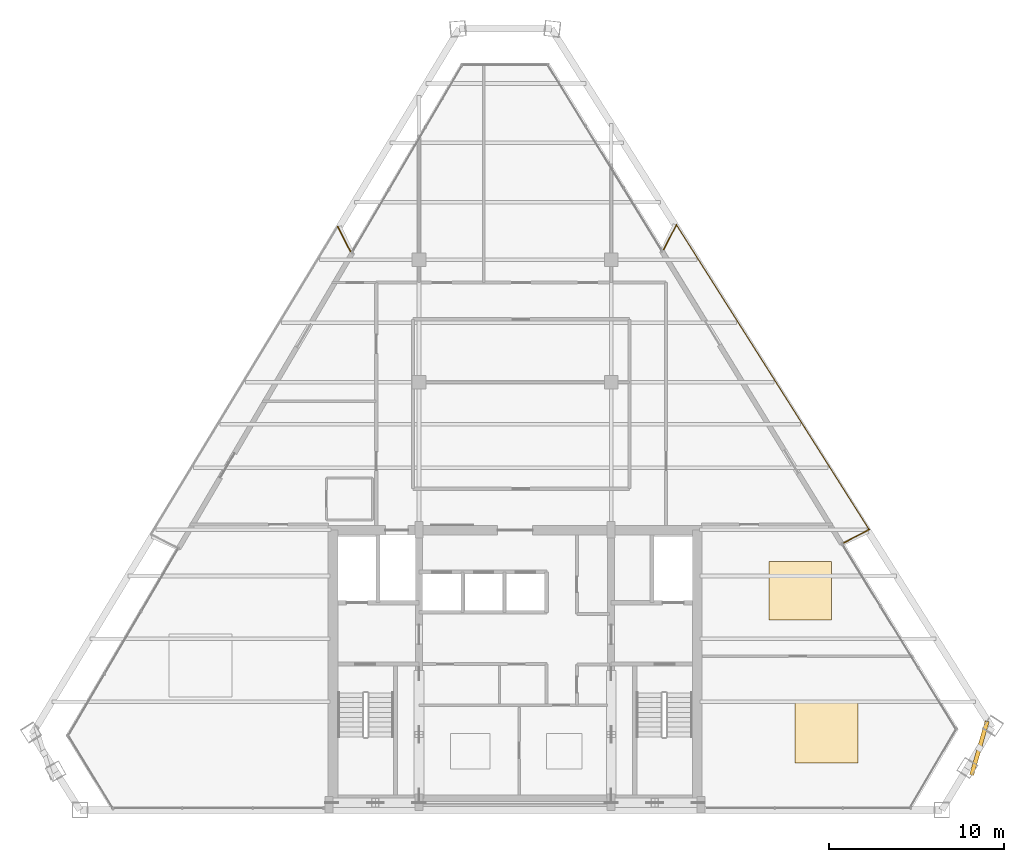
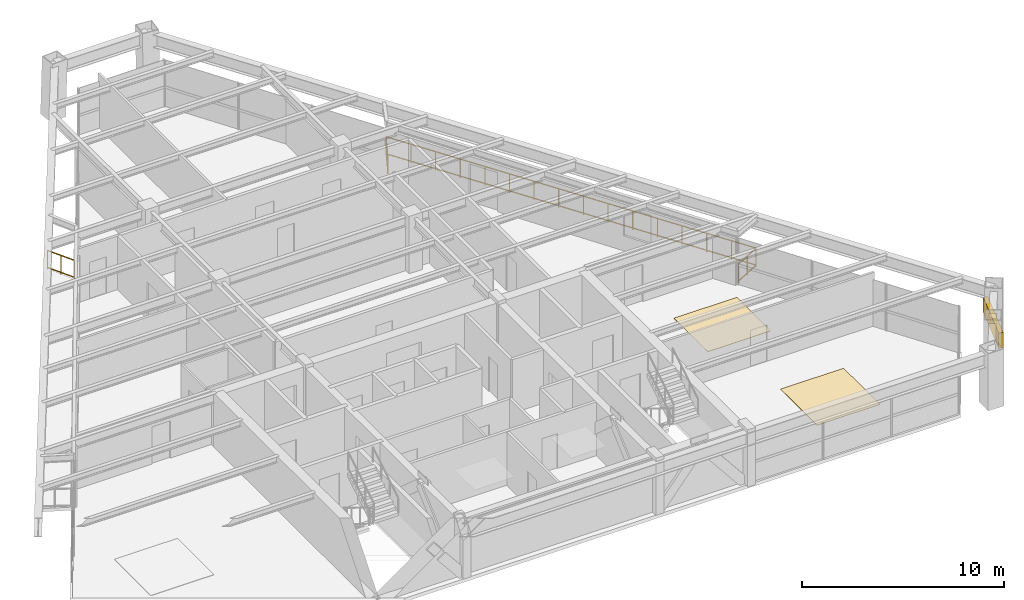
# One storey, part 13 of 13: 4 railings, 2 coverings, 1 shading device.
"""IFC4 building model written with IfcOpenShell, lengths in metres."""

import ifcopenshell
import ifcopenshell.guid

model = None  # the IFC model being written
_history = None  # IfcOwnerHistory: only IFC2X3 demands one
_inside = {}  # id of a spatial element -> (the spatial element, [elements in it])
_under = {}  # id of a project, library or spatial element -> (it, [spatial elements below it])
_declared = {}  # id of a project -> (the project, [libraries it declares])
_typed = {}  # id of a type object -> (the type object, [elements of that type])
_made_of = {}  # id of a material, layer set ... -> (it, [elements and type objects made of it])


def new_model(schema):
    """Start an empty IFC model of exactly this schema.

    Asked for "IFC4X3", IfcOpenShell would pick the latest addendum, in which some entities
    have other attributes; the version numbers below select the first issue.
    IFC2X3 requires an IfcOwnerHistory on every rooted entity: one is made here for all.
    """
    global model, _history
    if schema == "IFC4X3":
        model = ifcopenshell.file(schema_version=(4, 3, 0, 0))
    else:
        model = ifcopenshell.file(schema=schema)
    _inside.clear()
    _under.clear()
    _declared.clear()
    _typed.clear()
    _made_of.clear()
    _history = None
    if model.schema == "IFC2X3":
        org = make("IfcOrganization", Name="unknown")
        user = make(
            "IfcPersonAndOrganization",
            ThePerson=make("IfcPerson", FamilyName="unknown"),
            TheOrganization=org,
        )
        app = make(
            "IfcApplication",
            ApplicationDeveloper=org,
            Version="unknown",
            ApplicationFullName="unknown",
            ApplicationIdentifier="unknown",
        )
        _history = make(
            "IfcOwnerHistory",
            OwningUser=user,
            OwningApplication=app,
            ChangeAction="ADDED",
            CreationDate=0,
        )
    return model


def make(cls, **values):
    """One entity of the class cls with the attributes given. An attribute that is None is left unset."""
    return model.create_entity(
        cls, **{name: value for name, value in values.items() if value is not None}
    )


def rooted(cls, **values):
    """An entity with a GlobalId (a new one), such as an element, a storey or a relation."""
    return make(cls, GlobalId=ifcopenshell.guid.new(), OwnerHistory=_history, **values)


def si_unit(unit_type, name, prefix=None):
    """IfcSIUnit, for example si_unit("LENGTHUNIT", "METRE", prefix="MILLI")."""
    return make("IfcSIUnit", UnitType=unit_type, Prefix=prefix, Name=name)


def assignment(units):
    """IfcUnitAssignment: the units of a project."""
    return None if units is None else make("IfcUnitAssignment", Units=units)


def point(xyz):
    """IfcCartesianPoint."""
    return None if xyz is None else make("IfcCartesianPoint", Coordinates=xyz)


def direction(xyz):
    """IfcDirection."""
    return None if xyz is None else make("IfcDirection", DirectionRatios=xyz)


def frame(location, z_axis=None, x_axis=None):
    """IfcAxis2Placement3D, a coordinate frame: its origin and axes. An axis left out is left unset."""
    return make(
        "IfcAxis2Placement3D",
        Location=point(location),
        Axis=direction(z_axis),
        RefDirection=direction(x_axis),
    )


def frame_2d(location, x_axis=None):
    """IfcAxis2Placement2D, a coordinate frame in the plane: its origin and x axis."""
    return make(
        "IfcAxis2Placement2D", Location=point(location), RefDirection=direction(x_axis)
    )


def origin():
    """The frame at (0, 0, 0) with its axes left unset."""
    return frame((0.0, 0.0, 0.0))


def origin_2d():
    """The frame at (0, 0) in the plane with its x axis left unset."""
    return frame_2d((0.0, 0.0))


def place(relative_to, where):
    """IfcLocalPlacement: puts the frame where relative to a parent placement (None: the world)."""
    return make(
        "IfcLocalPlacement", PlacementRelTo=relative_to, RelativePlacement=where
    )


def context(
    kind, dimensions, precision=None, world=None, true_north=None, identifier=None
):
    """IfcGeometricRepresentationContext, for example the 3D "Model" context."""
    return make(
        "IfcGeometricRepresentationContext",
        ContextIdentifier=identifier,
        ContextType=kind,
        CoordinateSpaceDimension=dimensions,
        Precision=precision,
        WorldCoordinateSystem=world,
        TrueNorth=true_north,
    )


def subcontext(parent, identifier, kind, view, scale=None):
    """IfcGeometricRepresentationSubContext, for example "Body" below "Model"."""
    return make(
        "IfcGeometricRepresentationSubContext",
        ContextIdentifier=identifier,
        ContextType=kind,
        ParentContext=parent,
        TargetScale=scale,
        TargetView=view,
    )


def project(units=None, contexts=None):
    """IfcProject with its units and contexts."""
    return rooted(
        "IfcProject",
        Name="project",
        RepresentationContexts=contexts,
        UnitsInContext=assignment(units),
    )


def spatial(cls, under=None, at=None, **own):
    """A site, building, storey or space (cls), placed at a placement, below another one or the project."""
    s = rooted(cls, ObjectPlacement=at, **own)
    if under is not None:
        _under.setdefault(under.id(), (under, []))[1].append(s)
    return s


def profile(cls, at=None, kind="AREA", **sizes):
    """A parametric profile (cls). Its sizes go by their IFC names, for example OverallWidth=200.0."""
    return make(cls, ProfileType=kind, Position=at, **sizes)


def rectangle(**sizes):
    """IfcRectangleProfileDef."""
    return profile("IfcRectangleProfileDef", **sizes)


def extrude(swept, where, along, depth):
    """IfcExtrudedAreaSolid: the profile swept, set in the frame where, extruded along a direction by depth."""
    return make(
        "IfcExtrudedAreaSolid",
        SweptArea=swept,
        Position=where,
        ExtrudedDirection=direction(along),
        Depth=depth,
    )


def shape(context_of_items, identifier, shape_type, items):
    """IfcShapeRepresentation: the items that make up one representation, for example the "Body"."""
    return make(
        "IfcShapeRepresentation",
        ContextOfItems=context_of_items,
        RepresentationIdentifier=identifier,
        RepresentationType=shape_type,
        Items=items,
    )


def source(mapping_origin, context_of_items, identifier, shape_type, items):
    """IfcRepresentationMap: a shape defined once, which mapped items show again and again."""
    return make(
        "IfcRepresentationMap",
        MappingOrigin=mapping_origin,
        MappedRepresentation=shape(context_of_items, identifier, shape_type, items),
    )


def transform(
    local_origin,
    x_axis=None,
    y_axis=None,
    z_axis=None,
    scale=None,
    scale2=None,
    scale3=None,
    uniform=True,
):
    """IfcCartesianTransformationOperator3D, or its non-uniform kind. x_axis, y_axis, z_axis: its Axis1, 2, 3."""
    if uniform:
        return make(
            "IfcCartesianTransformationOperator3D",
            Axis1=direction(x_axis),
            Axis2=direction(y_axis),
            LocalOrigin=point(local_origin),
            Scale=scale,
            Axis3=direction(z_axis),
        )
    return make(
        "IfcCartesianTransformationOperator3DnonUniform",
        Axis1=direction(x_axis),
        Axis2=direction(y_axis),
        LocalOrigin=point(local_origin),
        Scale=scale,
        Axis3=direction(z_axis),
        Scale2=scale2,
        Scale3=scale3,
    )


def mapped(mapping_source, mapping_target):
    """IfcMappedItem: shows the shape of a source again, moved by a transform."""
    return make(
        "IfcMappedItem", MappingSource=mapping_source, MappingTarget=mapping_target
    )


def material(Name=None, Category=None):
    """IfcMaterial."""
    return make("IfcMaterial", Name=Name, Category=Category)


def layer(
    of_material, thickness, ventilated=None, Name=None, Category=None, Priority=None
):
    """IfcMaterialLayer: one layer of a wall or slab, of a material (None: an air gap)."""
    return make(
        "IfcMaterialLayer",
        Material=of_material,
        LayerThickness=thickness,
        IsVentilated=ventilated,
        Name=Name,
        Category=Category,
        Priority=Priority,
    )


def layer_set(layers, Name=None):
    """IfcMaterialLayerSet."""
    return make("IfcMaterialLayerSet", MaterialLayers=layers, LayerSetName=Name)


def made_of(thing, what):
    """Note that an element or type object is made of a material, layer set ...; save() writes the relation."""
    if what is not None:
        _made_of.setdefault(what.id(), (what, []))[1].append(thing)
    return thing


def type_object(cls, material=None, **own):
    """A type object (cls), such as IfcWallType, which elements share."""
    return made_of(rooted(cls, **own), material)


def type_shapes(of_type, sources):
    """Give a type object the sources (RepresentationMaps) that its elements show as mapped items."""
    of_type.RepresentationMaps = sources


def element(
    cls,
    number,
    at=None,
    inside=None,
    cuts=None,
    type_object=None,
    material=None,
    context=None,
    identifier="Body",
    shape_type=None,
    held_by="IfcProductDefinitionShape",
    body=None,
    shapes=None,
    **own,
):
    """One element of the class cls, such as IfcWall. Its Tag is "e" and its number.

    at: its placement. inside: the storey or other place that contains it. cuts: it is an
    opening in that element (IfcRelVoidsElement). A single representation is given by context,
    identifier, shape_type and body (its items); several are given by shapes. held_by: the class
    of the entity that holds the representations. save() writes the other relations.
    """
    e = rooted(cls, Tag="e%d" % number, ObjectPlacement=at, **own)
    if body is not None:
        shapes = [shape(context, identifier, shape_type, body)]
    if shapes is not None:
        e.Representation = make(held_by, Representations=shapes)
    if inside is not None:
        _inside.setdefault(inside.id(), (inside, []))[1].append(e)
    if cuts is not None:
        rooted(
            "IfcRelVoidsElement", RelatingBuildingElement=cuts, RelatedOpeningElement=e
        )
    if type_object is not None:
        _typed.setdefault(type_object.id(), (type_object, []))[1].append(e)
    return made_of(e, material)


def aggregate(whole, parts):
    """IfcRelAggregates: a whole, such as a stair, and the parts it consists of."""
    return rooted("IfcRelAggregates", RelatingObject=whole, RelatedObjects=parts)


def save(model, path):
    """Write the relations noted so far, then the file.

    IfcRelAggregates (storeys below a building ...), IfcRelContainedInSpatialStructure (elements
    in a storey), IfcRelDefinesByType, IfcRelAssociatesMaterial and IfcRelDeclares: one each for
    every whole, place, type object, material and project.
    """
    for whole, parts in _under.values():
        aggregate(whole, parts)
    for where, things in _inside.values():
        rooted(
            "IfcRelContainedInSpatialStructure",
            RelatedElements=things,
            RelatingStructure=where,
        )
    for kind, things in _typed.values():
        rooted("IfcRelDefinesByType", RelatedObjects=things, RelatingType=kind)
    for what, things in _made_of.values():
        rooted("IfcRelAssociatesMaterial", RelatedObjects=things, RelatingMaterial=what)
    for by, libraries in _declared.values():
        rooted("IfcRelDeclares", RelatingContext=by, RelatedDefinitions=libraries)
    model.write(path)


model = new_model("IFC4")

# Units and contexts
model_context = context("Model", 3, precision=1e-05, world=origin(), true_north=direction((0.0, 1.0)))
body_context = subcontext(model_context, "Body", "Model", "MODEL_VIEW")
ifc_project = project(units=[si_unit("LENGTHUNIT", "METRE"), si_unit("AREAUNIT", "SQUARE_METRE"), si_unit("VOLUMEUNIT", "CUBIC_METRE"), si_unit("PLANEANGLEUNIT", "RADIAN"), si_unit("MASSUNIT", "GRAM", prefix="KILO")], contexts=[model_context])

# Site, building, storey
site_placement = place(None, origin())
site = spatial("IfcSite", under=ifc_project, at=site_placement, CompositionType="ELEMENT")
building_placement = place(site_placement, origin())
building = spatial("IfcBuilding", under=site, at=building_placement, Name="Varnakhor Terracotta Tower", CompositionType="ELEMENT")
storey_placement = place(building_placement, frame((0.0, 0.0, 244.14990234375)))
storey = spatial("IfcBuildingStorey", under=building, at=storey_placement, Name="L63", CompositionType="ELEMENT", Elevation=244.14990234375)

# Railings
ifc_material_1 = material(Name="Stainless Steel & Laminated Glass Guardrail", Category="steel")
railing_type = type_object("IfcRailingType", Name="RLG-LOGGIA-GUARD-1150", PredefinedType="GUARDRAIL", material=ifc_material_1)
railing_1_placement = place(storey_placement, frame((8.513671875, 32.09033203125, 0.0)))
element("IfcRailing", 1, at=railing_1_placement, inside=storey, type_object=railing_type, Name="L63 E Loggia Glass Guard 1", PredefinedType="GUARDRAIL", context=body_context, shape_type="SweptSolid", body=[
    extrude(rectangle(XDim=0.048095703125, YDim=0.048095703125, at=origin_2d()), frame((0.0, 0.0, 1.1259765625), z_axis=(0.455846224366, 0.890058548485, 0.0), x_axis=(-0.890058548485, 0.455846224366, 0.0)), (0.0, 0.0, 1.0), 1.59130859375),
    extrude(rectangle(XDim=0.048095703125, YDim=0.048095703125, at=origin_2d()), frame((0.0, 0.0, 0.10009765625), z_axis=(0.455846224366, 0.890058548485, 0.0), x_axis=(-0.890058548485, 0.455846224366, 0.0)), (0.0, 0.0, 1.0), 1.59130859375),
    extrude(rectangle(XDim=0.0419921875, YDim=0.0419921875, at=origin_2d()), origin(), (0.0, 0.0, 1.0), 1.101806640625),
    extrude(rectangle(XDim=0.0419921875, YDim=0.0419921875, at=origin_2d()), frame((0.36279296875, 0.7080078125, 0.0)), (0.0, 0.0, 1.0), 1.101806640625),
    extrude(rectangle(XDim=0.0419921875, YDim=0.0419921875, at=origin_2d()), frame((0.725341796875, 1.416259765625, 0.0)), (0.0, 0.0, 1.0), 1.101806640625),
])
railing_2_placement = place(storey_placement, frame((9.239013671875, 33.506591796875, 0.0)))
element("IfcRailing", 2, at=railing_2_placement, inside=storey, type_object=railing_type, Name="L63 E Loggia Glass Guard 2", PredefinedType="GUARDRAIL", context=body_context, shape_type="SweptSolid", body=[
    extrude(rectangle(XDim=0.048095703125, YDim=0.048095703125, at=origin_2d()), frame((0.0, 0.0, 1.1259765625), z_axis=(0.534472471809, -0.845185883033, 0.0), x_axis=(0.845185883033, 0.534472471809, 0.0)), (0.0, 0.0, 1.0), 20.647705078125),
    extrude(rectangle(XDim=0.048095703125, YDim=0.048095703125, at=origin_2d()), frame((0.0, 0.0, 0.10009765625), z_axis=(0.534472471809, -0.845185883033, 0.0), x_axis=(0.845185883033, 0.534472471809, 0.0)), (0.0, 0.0, 1.0), 20.647705078125),
    extrude(rectangle(XDim=0.0419921875, YDim=0.0419921875, at=origin_2d()), origin(), (0.0, 0.0, 1.0), 1.101806640625),
    extrude(rectangle(XDim=0.0419921875, YDim=0.0419921875, at=origin_2d()), frame((0.735595703125, -1.163330078125, 0.0)), (0.0, 0.0, 1.0), 1.101806640625),
    extrude(rectangle(XDim=0.0419921875, YDim=0.0419921875, at=origin_2d()), frame((1.471435546875, -2.326904296875, 0.0)), (0.0, 0.0, 1.0), 1.101806640625),
    extrude(rectangle(XDim=0.0419921875, YDim=0.0419921875, at=origin_2d()), frame((2.20703125, -3.490234375, 0.0)), (0.0, 0.0, 1.0), 1.101806640625),
    extrude(rectangle(XDim=0.0419921875, YDim=0.0419921875, at=origin_2d()), frame((2.94287109375, -4.653564453125, 0.0)), (0.0, 0.0, 1.0), 1.101806640625),
    extrude(rectangle(XDim=0.0419921875, YDim=0.0419921875, at=origin_2d()), frame((3.678466796875, -5.817138671875, 0.0)), (0.0, 0.0, 1.0), 1.101806640625),
    extrude(rectangle(XDim=0.0419921875, YDim=0.0419921875, at=origin_2d()), frame((4.414306640625, -6.98046875, 0.0)), (0.0, 0.0, 1.0), 1.101806640625),
    extrude(rectangle(XDim=0.0419921875, YDim=0.0419921875, at=origin_2d()), frame((5.14990234375, -8.143798828125, 0.0)), (0.0, 0.0, 1.0), 1.101806640625),
    extrude(rectangle(XDim=0.0419921875, YDim=0.0419921875, at=origin_2d()), frame((5.8857421875, -9.307373046875, 0.0)), (0.0, 0.0, 1.0), 1.101806640625),
    extrude(rectangle(XDim=0.0419921875, YDim=0.0419921875, at=origin_2d()), frame((6.621337890625, -10.470703125, 0.0)), (0.0, 0.0, 1.0), 1.101806640625),
    extrude(rectangle(XDim=0.0419921875, YDim=0.0419921875, at=origin_2d()), frame((7.357177734375, -11.634033203125, 0.0)), (0.0, 0.0, 1.0), 1.101806640625),
    extrude(rectangle(XDim=0.0419921875, YDim=0.0419921875, at=origin_2d()), frame((8.0927734375, -12.797607421875, 0.0)), (0.0, 0.0, 1.0), 1.101806640625),
    extrude(rectangle(XDim=0.0419921875, YDim=0.0419921875, at=origin_2d()), frame((8.82861328125, -13.9609375, 0.0)), (0.0, 0.0, 1.0), 1.101806640625),
    extrude(rectangle(XDim=0.0419921875, YDim=0.0419921875, at=origin_2d()), frame((9.564208984375, -15.124267578125, 0.0)), (0.0, 0.0, 1.0), 1.101806640625),
    extrude(rectangle(XDim=0.0419921875, YDim=0.0419921875, at=origin_2d()), frame((10.300048828125, -16.287841796875, 0.0)), (0.0, 0.0, 1.0), 1.101806640625),
    extrude(rectangle(XDim=0.0419921875, YDim=0.0419921875, at=origin_2d()), frame((11.03564453125, -17.451171875, 0.0)), (0.0, 0.0, 1.0), 1.101806640625),
])
railing_3_placement = place(storey_placement, frame((20.274658203125, 16.055419921875, 0.0)))
element("IfcRailing", 3, at=railing_3_placement, inside=storey, type_object=railing_type, Name="L63 E Loggia Glass Guard 3", PredefinedType="GUARDRAIL", context=body_context, shape_type="SweptSolid", body=[
    extrude(rectangle(XDim=0.048095703125, YDim=0.048095703125, at=origin_2d()), frame((0.0, 0.0, 1.1259765625), z_axis=(-0.888107996563, -0.459634840326, 0.0), x_axis=(0.459634840326, -0.888107996563, 0.0)), (0.0, 0.0, 1.0), 1.629638671875),
    extrude(rectangle(XDim=0.048095703125, YDim=0.048095703125, at=origin_2d()), frame((0.0, 0.0, 0.10009765625), z_axis=(-0.888107996563, -0.459634840326, 0.0), x_axis=(0.459634840326, -0.888107996563, 0.0)), (0.0, 0.0, 1.0), 1.629638671875),
    extrude(rectangle(XDim=0.0419921875, YDim=0.0419921875, at=origin_2d()), origin(), (0.0, 0.0, 1.0), 1.101806640625),
    extrude(rectangle(XDim=0.0419921875, YDim=0.0419921875, at=origin_2d()), frame((-0.7236328125, -0.37451171875, 0.0)), (0.0, 0.0, 1.0), 1.101806640625),
    extrude(rectangle(XDim=0.0419921875, YDim=0.0419921875, at=origin_2d()), frame((-1.447265625, -0.7490234375, 0.0)), (0.0, 0.0, 1.0), 1.101806640625),
])
railing_4_placement = place(storey_placement, frame((-10.15771484375, 33.400390625, 0.0)))
element("IfcRailing", 4, at=railing_4_placement, inside=storey, type_object=railing_type, Name="L63 W Loggia Glass Guard 3", PredefinedType="GUARDRAIL", context=body_context, shape_type="SweptSolid", body=[
    extrude(rectangle(XDim=0.048095703125, YDim=0.048095703125, at=origin_2d()), frame((0.0, 0.0, 1.1259765625), z_axis=(0.458979610133, -0.888446800592, 0.0), x_axis=(0.888446800592, 0.458979610133, 0.0)), (0.0, 0.0, 1.0), 1.58837890625),
    extrude(rectangle(XDim=0.048095703125, YDim=0.048095703125, at=origin_2d()), frame((0.0, 0.0, 0.10009765625), z_axis=(0.458979610133, -0.888446800592, 0.0), x_axis=(0.888446800592, 0.458979610133, 0.0)), (0.0, 0.0, 1.0), 1.58837890625),
    extrude(rectangle(XDim=0.0419921875, YDim=0.0419921875, at=origin_2d()), origin(), (0.0, 0.0, 1.0), 1.101806640625),
    extrude(rectangle(XDim=0.0419921875, YDim=0.0419921875, at=origin_2d()), frame((0.364501953125, -0.70556640625, 0.0)), (0.0, 0.0, 1.0), 1.101806640625),
    extrude(rectangle(XDim=0.0419921875, YDim=0.0419921875, at=origin_2d()), frame((0.72900390625, -1.4111328125, 0.0)), (0.0, 0.0, 1.0), 1.101806640625),
])

# Shading device
ifc_material_2 = material(Name="Extruded Architectural Terracotta Screen", Category="masonry")
shading_device_type = type_object("IfcShadingDeviceType", Name="TERRACOTTA SOLAR SCREEN E", PredefinedType="USERDEFINED", material=ifc_material_2)
shared_shape_1 = source(origin(), body_context, "Body", "SweptSolid", [
    extrude(rectangle(XDim=3.199951171875, YDim=0.239990234375, at=origin_2d()), origin(), (0.0, 0.0, 1.0), 0.919921875),
])
type_shapes(shading_device_type, [shared_shape_1])
shading_device_placement = place(storey_placement, frame((26.586669921875, 3.544189453125, 1.562255859375), z_axis=(0.0, 0.0, 1.0), x_axis=(0.278991106039, 0.960293685677, 0.0)))
element("IfcShadingDevice", 5, at=shading_device_placement, inside=storey, type_object=shading_device_type, Name="L63 E Terracotta Solar Screen", ObjectType="SCREEN", PredefinedType="USERDEFINED", context=body_context, shape_type="MappedRepresentation", body=[
    mapped(shared_shape_1, transform((0.0, 0.0, 0.0), scale=1.0)),
])

# Coverings
ifc_material_3 = material(Name="Honed Riyadh Limestone Flooring", Category="masonry")
ifc_layer = layer(ifc_material_3, 0.030029296875, Name="Honed Riyadh Limestone Flooring")
ifc_layer_set = layer_set([ifc_layer], Name="Honed Riyadh Limestone Flooring")
covering_type = type_object("IfcCoveringType", Name="COV-FLOOR-LIMESTONE", PredefinedType="FLOORING", material=ifc_layer_set)
shared_shape_2 = source(origin(), body_context, "Body", "SweptSolid", [
    extrude(rectangle(XDim=3.60009765625, YDim=3.60009765625, at=origin_2d()), origin(), (0.0, 0.0, 1.0), 0.02001953125),
])
covering_1_placement = place(storey_placement, frame((17.837890625, 4.50390625, 0.0), z_axis=(0.0, 0.0, 1.0), x_axis=(1.0, 0.0, 0.0)))
element("IfcCovering", 6, at=covering_1_placement, inside=storey, type_object=covering_type, Name="L63 Honed Stone Flooring 3", PredefinedType="FLOORING", context=body_context, shape_type="MappedRepresentation", body=[
    mapped(shared_shape_2, transform((0.0, 0.0, 0.0), scale=1.0)),
])
shared_shape_3 = source(origin(), body_context, "Body", "SweptSolid", [
    extrude(rectangle(XDim=3.60009765625, YDim=3.343994140625, at=origin_2d()), origin(), (0.0, 0.0, 1.0), 0.02001953125),
])
covering_2_placement = place(storey_placement, frame((16.3310546875, 12.56103515625, 0.0), z_axis=(0.0, 0.0, 1.0), x_axis=(1.0, 0.0, 0.0)))
element("IfcCovering", 7, at=covering_2_placement, inside=storey, type_object=covering_type, Name="L63 Honed Stone Flooring 5", PredefinedType="FLOORING", context=body_context, shape_type="MappedRepresentation", body=[
    mapped(shared_shape_3, transform((0.0, 0.0, 0.0), scale=1.0)),
])

save(model, "model.ifc")
